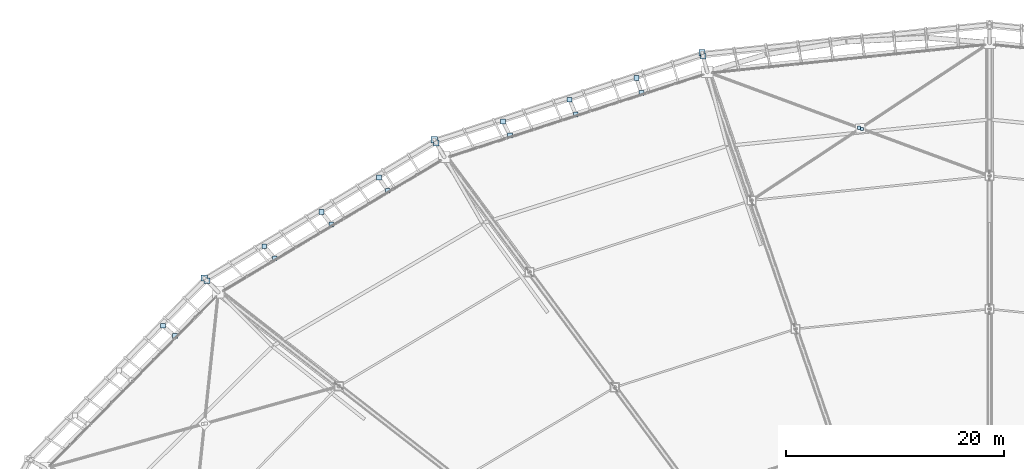
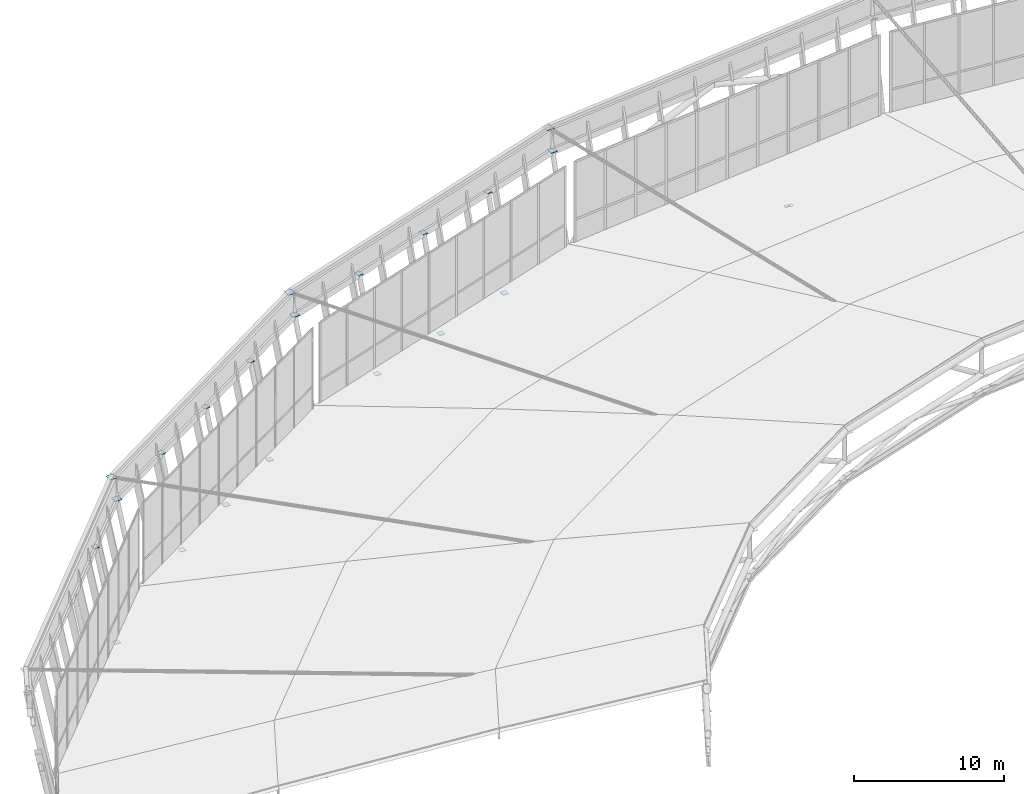
# One storey, part 108 of 115: 22 plates.
"""IFC4 building model written with IfcOpenShell, lengths in metres."""

from ifc_helpers import new_model, si_unit, direction, frame, origin, origin_2d, place, context, subcontext, project, spatial, rectangle, extrude, material, layer, layer_set, type_object, element, save


model = new_model("IFC4")

# Units and contexts
model_context = context("Model", 3, precision=1e-05, world=origin(), true_north=direction((0.0, 1.0)))
body_context = subcontext(model_context, "Body", "Model", "MODEL_VIEW")
ifc_project = project(units=[si_unit("LENGTHUNIT", "METRE"), si_unit("AREAUNIT", "SQUARE_METRE"), si_unit("VOLUMEUNIT", "CUBIC_METRE"), si_unit("PLANEANGLEUNIT", "RADIAN"), si_unit("MASSUNIT", "GRAM", prefix="KILO")], contexts=[model_context])

# Site, building, storey
site_placement = place(None, origin())
site = spatial("IfcSite", under=ifc_project, at=site_placement, CompositionType="ELEMENT")
building_placement = place(site_placement, origin())
building = spatial("IfcBuilding", under=site, at=building_placement, Name="Zlatoyarsky Gate Stadium", CompositionType="ELEMENT")
storey_placement = place(building_placement, frame((0.0, 0.0, 31.800048828125)))
storey = spatial("IfcBuildingStorey", under=building, at=storey_placement, Name="RF", CompositionType="ELEMENT", Elevation=31.800048828125)

# Plates
ifc_material = material(Name="Steel S355", Category="steel")
ifc_layer = layer(ifc_material, 0.02392578125)
ifc_layer_set = layer_set([ifc_layer], Name="Steel S355")
plate_type = type_object("IfcPlateType", Name="STEEL HOLLOW CHORD SPLICE SHEET 24", PredefinedType="SHEET", material=ifc_layer_set)
for number, where, z_axis, x_axis, name in (
    (1, (99.01611328125, 150.2421875, 1.564208984375), (0.0, 0.0, 1.0), (1.0, 0.0, 0.0), "Node closure plate ND-SP1 NCAP-XBH1-06"),
    (2, (99.291015625, 150.14111328125, 1.60009765625), (0.0, 0.0, 1.0), (1.0, 0.0, 0.0), "Node closure plate ND-SP1 NCAP-XBH2-06"),
):
    element("IfcPlate", number, at=place(storey_placement, frame(where, z_axis=z_axis, x_axis=x_axis)), inside=storey, type_object=plate_type, Name=name, PredefinedType="SHEET", context=body_context, shape_type="SweptSolid", body=[
        extrude(rectangle(XDim=0.280029296875, YDim=0.280029296875, at=origin_2d()), origin(), (0.0, 0.0, 1.0), 0.02392578125),
    ])
plate_1_placement = place(storey_placement, frame((84.640869140625, 157.12353515625, 8.837890625), z_axis=(0.0, 0.0, 1.0), x_axis=(1.0, 0.0, 0.0)))
element("IfcPlate", 3, at=plate_1_placement, inside=storey, type_object=plate_type, Name="Node closure plate ND-SP1 NCAP-FSC-07", PredefinedType="SHEET", context=body_context, shape_type="SweptSolid", body=[
    extrude(rectangle(XDim=0.56005859375, YDim=0.56005859375, at=origin_2d()), origin(), (0.0, 0.0, 1.0), 0.02392578125),
])
plate_2_placement = place(storey_placement, frame((84.731201171875, 156.78662109375, 7.137939453125), z_axis=(0.0, 0.0, 1.0), x_axis=(1.0, 0.0, 0.0)))
element("IfcPlate", 4, at=plate_2_placement, inside=storey, type_object=plate_type, Name="Node closure plate ND-SP1 NCAP-FSCB-07", PredefinedType="SHEET", context=body_context, shape_type="SweptSolid", body=[
    extrude(rectangle(XDim=0.52001953125, YDim=0.52001953125, at=origin_2d()), origin(), (0.0, 0.0, 1.0), 0.02392578125),
])
for number, where, z_axis, x_axis, name in (
    (5, (79.079833984375, 153.420166015625, -0.4619140625), (0.0, 0.0, 1.0), (1.0, 0.0, 0.0), "Node closure plate ND-SP1 NCAP-RIB-07-1-4T"),
    (6, (78.611328125, 154.80126953125, 7.137939453125), (0.0, 0.0, 1.0), (1.0, 0.0, 0.0), "Node closure plate ND-SP1 NCAP-RIB-07-1-5T"),
    (7, (73.048583984375, 151.471435546875, -0.4619140625), (0.0, 0.0, 1.0), (1.0, 0.0, 0.0), "Node closure plate ND-SP1 NCAP-RIB-07-2-4T"),
    (8, (72.49169921875, 152.815673828125, 7.137939453125), (0.0, 0.0, 1.0), (1.0, 0.0, 0.0), "Node closure plate ND-SP1 NCAP-RIB-07-2-5T"),
    (9, (67.017333984375, 149.522705078125, -0.4619140625), (0.0, 0.0, 1.0), (1.0, 0.0, 0.0), "Node closure plate ND-SP1 NCAP-RIB-07-3-4T"),
    (10, (66.3720703125, 150.830322265625, 7.137939453125), (0.0, 0.0, 1.0), (1.0, 0.0, 0.0), "Node closure plate ND-SP1 NCAP-RIB-07-3-5T"),
):
    element("IfcPlate", number, at=place(storey_placement, frame(where, z_axis=z_axis, x_axis=x_axis)), inside=storey, type_object=plate_type, Name=name, PredefinedType="SHEET", context=body_context, shape_type="SweptSolid", body=[
        extrude(rectangle(XDim=0.43994140625, YDim=0.43994140625, at=origin_2d()), origin(), (0.0, 0.0, 1.0), 0.02392578125),
    ])
plate_3_placement = place(storey_placement, frame((60.077880859375, 149.147216796875, 8.837890625), z_axis=(0.0, 0.0, 1.0), x_axis=(1.0, 0.0, 0.0)))
element("IfcPlate", 11, at=plate_3_placement, inside=storey, type_object=plate_type, Name="Node closure plate ND-SP1 NCAP-FSC-08", PredefinedType="SHEET", context=body_context, shape_type="SweptSolid", body=[
    extrude(rectangle(XDim=0.56005859375, YDim=0.56005859375, at=origin_2d()), origin(), (0.0, 0.0, 1.0), 0.02392578125),
])
plate_4_placement = place(storey_placement, frame((60.25244140625, 148.844970703125, 7.137939453125), z_axis=(0.0, 0.0, 1.0), x_axis=(1.0, 0.0, 0.0)))
element("IfcPlate", 12, at=plate_4_placement, inside=storey, type_object=plate_type, Name="Node closure plate ND-SP1 NCAP-FSCB-08", PredefinedType="SHEET", context=body_context, shape_type="SweptSolid", body=[
    extrude(rectangle(XDim=0.52001953125, YDim=0.52001953125, at=origin_2d()), origin(), (0.0, 0.0, 1.0), 0.02392578125),
])
for number, where, z_axis, x_axis, name in (
    (13, (55.80712890625, 144.473876953125, -0.4619140625), (0.0, 0.0, 1.0), (1.0, 0.0, 0.0), "Node closure plate ND-SP1 NCAP-RIB-08-1-4T"),
    (14, (54.997314453125, 145.6865234375, 7.137939453125), (0.0, 0.0, 1.0), (1.0, 0.0, 0.0), "Node closure plate ND-SP1 NCAP-RIB-08-1-5T"),
    (15, (50.6279296875, 141.373779296875, -0.4619140625), (0.0, 0.0, 1.0), (1.0, 0.0, 0.0), "Node closure plate ND-SP1 NCAP-RIB-08-2-4T"),
    (16, (49.7421875, 142.5283203125, 7.137939453125), (0.0, 0.0, 1.0), (1.0, 0.0, 0.0), "Node closure plate ND-SP1 NCAP-RIB-08-2-5T"),
    (17, (45.448974609375, 138.27392578125, -0.4619140625), (0.0, 0.0, 1.0), (1.0, 0.0, 0.0), "Node closure plate ND-SP1 NCAP-RIB-08-3-4T"),
    (18, (44.487060546875, 139.3701171875, 7.137939453125), (0.0, 0.0, 1.0), (1.0, 0.0, 0.0), "Node closure plate ND-SP1 NCAP-RIB-08-3-5T"),
):
    element("IfcPlate", number, at=place(storey_placement, frame(where, z_axis=z_axis, x_axis=x_axis)), inside=storey, type_object=plate_type, Name=name, PredefinedType="SHEET", context=body_context, shape_type="SweptSolid", body=[
        extrude(rectangle(XDim=0.43994140625, YDim=0.43994140625, at=origin_2d()), origin(), (0.0, 0.0, 1.0), 0.02392578125),
    ])
plate_5_placement = place(storey_placement, frame((38.9853515625, 136.45849609375, 8.837890625), z_axis=(0.0, 0.0, 1.0), x_axis=(1.0, 0.0, 0.0)))
element("IfcPlate", 19, at=plate_5_placement, inside=storey, type_object=plate_type, Name="Node closure plate ND-SP1 NCAP-FSC-09", PredefinedType="SHEET", context=body_context, shape_type="SweptSolid", body=[
    extrude(rectangle(XDim=0.56005859375, YDim=0.56005859375, at=origin_2d()), origin(), (0.0, 0.0, 1.0), 0.02392578125),
])
plate_6_placement = place(storey_placement, frame((39.23193359375, 136.211669921875, 7.137939453125), z_axis=(0.0, 0.0, 1.0), x_axis=(1.0, 0.0, 0.0)))
element("IfcPlate", 20, at=plate_6_placement, inside=storey, type_object=plate_type, Name="Node closure plate ND-SP1 NCAP-FSCB-09", PredefinedType="SHEET", context=body_context, shape_type="SweptSolid", body=[
    extrude(rectangle(XDim=0.52001953125, YDim=0.52001953125, at=origin_2d()), origin(), (0.0, 0.0, 1.0), 0.02392578125),
])
for number, where, z_axis, x_axis, name in (
    (21, (36.295654296875, 131.1337890625, -0.4619140625), (0.0, 0.0, 1.0), (1.0, 0.0, 0.0), "Node closure plate ND-SP1 NCAP-RIB-09-1-4T"),
    (22, (35.19970703125, 132.095703125, 7.137939453125), (0.0, 0.0, 1.0), (1.0, 0.0, 0.0), "Node closure plate ND-SP1 NCAP-RIB-09-1-5T"),
):
    element("IfcPlate", number, at=place(storey_placement, frame(where, z_axis=z_axis, x_axis=x_axis)), inside=storey, type_object=plate_type, Name=name, PredefinedType="SHEET", context=body_context, shape_type="SweptSolid", body=[
        extrude(rectangle(XDim=0.43994140625, YDim=0.43994140625, at=origin_2d()), origin(), (0.0, 0.0, 1.0), 0.02392578125),
    ])

save(model, "model.ifc")
